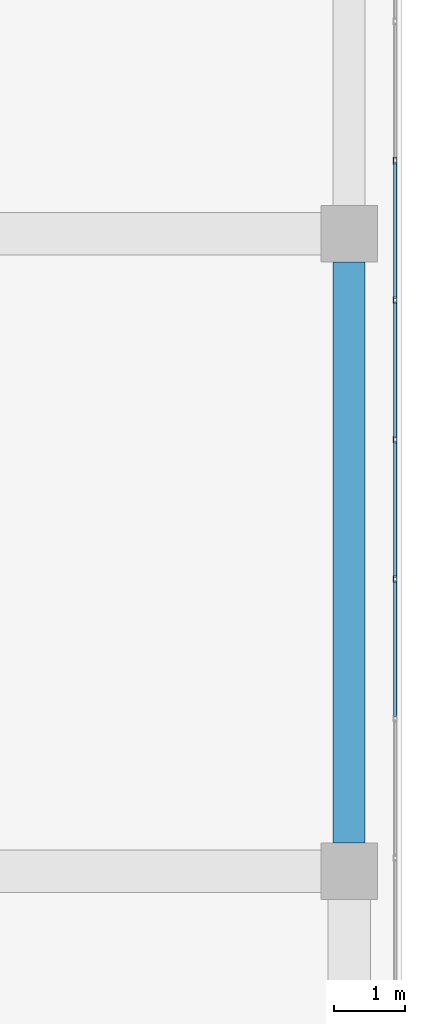
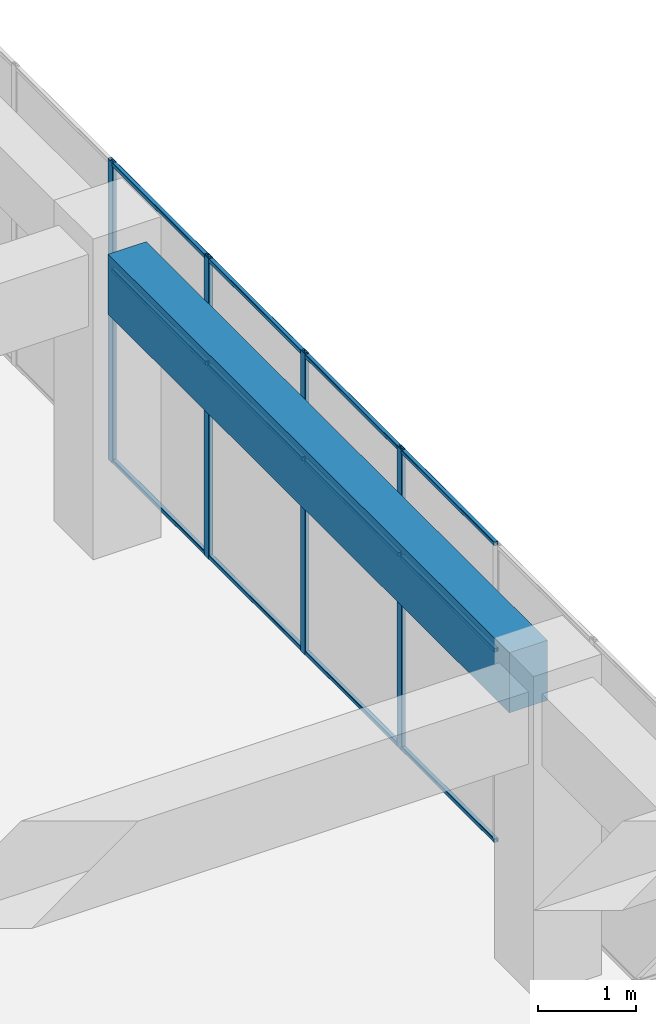
# One storey, part 54 of 81: 16 members, 1 beam, 1 element without a shape of its own.
"""IFC4 building model written with IfcOpenShell, lengths in metres."""

from ifc_helpers import new_model, si_unit, direction, frame, origin, origin_2d, place, context, subcontext, project, spatial, rectangle, hollow_rectangle, extrude, material, layer, layer_set, material_profile, profile_set, type_object, element, aggregate, save


model = new_model("IFC4")

# Units and contexts
model_context = context("Model", 3, precision=1e-05, world=origin(), true_north=direction((0.0, 1.0)))
body_context = subcontext(model_context, "Body", "Model", "MODEL_VIEW")
ifc_project = project(units=[si_unit("LENGTHUNIT", "METRE"), si_unit("AREAUNIT", "SQUARE_METRE"), si_unit("VOLUMEUNIT", "CUBIC_METRE"), si_unit("PLANEANGLEUNIT", "RADIAN"), si_unit("MASSUNIT", "GRAM", prefix="KILO")], contexts=[model_context])

# Site, building, storey
site_placement = place(None, origin())
site = spatial("IfcSite", under=ifc_project, at=site_placement, CompositionType="ELEMENT")
building_placement = place(site_placement, origin())
building = spatial("IfcBuilding", under=site, at=building_placement, Name="Tuart Plaza Theatre", CompositionType="ELEMENT")
storey_placement = place(building_placement, frame((0.0, 0.0, 17.5)))
storey = spatial("IfcBuildingStorey", under=building, at=storey_placement, Name="L04", CompositionType="ELEMENT", Elevation=17.5)

# Beam
ifc_material_1 = material(Name="Concrete N40 (40 MPa)", Category="concrete")
ifc_material_profile_1 = material_profile(ifc_material_1, rectangle(XDim=0.449951171875, YDim=0.75, at=origin_2d()), Name="BEAM 450x750 Concrete N40 (40 MPa)")
ifc_profile_set_1 = profile_set([ifc_material_profile_1], Name="Concrete N40 (40 MPa)")
beam_type = type_object("IfcBeamType", Name="BEAM 450x750 Concrete N40 (40 MPa)", PredefinedType="BEAM", material=ifc_profile_set_1)
beam_placement = place(storey_placement, frame((150.0, 56.39990234375, 3.375), z_axis=(0.0, 1.0, 0.0), x_axis=(-1.0, 0.0, 0.0)))
element("IfcBeam", 1, at=beam_placement, inside=storey, type_object=beam_type, Name="RB238", PredefinedType="BEAM", context=body_context, shape_type="SweptSolid", body=[
    extrude(rectangle(XDim=0.449951171875, YDim=0.75, at=origin_2d()), origin(), (0.0, 0.0, 1.0), 8.2001953125),
])

# Curtain wall, members
ifc_material_2 = material(Name="Aluminium and glass", Category="aluminium")
ifc_layer = layer(ifc_material_2, 0.10009765625)
ifc_layer_set = layer_set([ifc_layer], Name="CURTAIN WALL 2000 module")
curtain_wall_type = type_object("IfcCurtainWallType", Name="CURTAIN WALL 2000 module", PredefinedType="NOTDEFINED", material=ifc_layer_set)
curtain_wall_placement = place(storey_placement, origin())
curtain_wall = element("IfcCurtainWall", 2, at=curtain_wall_placement, inside=storey, type_object=curtain_wall_type, Name="CW78", PredefinedType="NOTDEFINED")
ifc_material_3 = material(Name="Aluminium 6063-T5", Category="aluminium")
ifc_material_profile_2 = material_profile(ifc_material_3, hollow_rectangle(XDim=0.050048828125, YDim=0.10009765625, WallThickness=0.00390625, InnerFilletRadius=0.00390625, OuterFilletRadius=0.008056640625, at=origin_2d()), Name="RHS 100x50x4")
ifc_profile_set_2 = profile_set([ifc_material_profile_2], Name="Aluminium 6063-T5")
member_type_1 = type_object("IfcMemberType", Name="MULLION RHS 100x50x4", PredefinedType="MULLION", material=ifc_profile_set_2)
member_1_placement = place(storey_placement, frame((150.64990234375, 60.125, 0.0), z_axis=(0.0, 0.0, 1.0), x_axis=(-1.0, 0.0, 0.0)))
member_1 = element("IfcMember", 3, at=member_1_placement, type_object=member_type_1, Name="CW78 mullion 5", PredefinedType="MULLION", context=body_context, shape_type="SweptSolid", body=[
    extrude(hollow_rectangle(XDim=0.050048828125, YDim=0.10009765625, WallThickness=0.00390625, InnerFilletRadius=0.00390625, OuterFilletRadius=0.008056640625, at=origin_2d()), origin(), (0.0, 0.0, 1.0), 3.75),
])
member_2_placement = place(storey_placement, frame((150.64990234375, 62.09375, 0.0), z_axis=(0.0, 0.0, 1.0), x_axis=(-1.0, 0.0, 0.0)))
member_2 = element("IfcMember", 4, at=member_2_placement, type_object=member_type_1, Name="CW78 mullion 6", PredefinedType="MULLION", context=body_context, shape_type="SweptSolid", body=[
    extrude(hollow_rectangle(XDim=0.050048828125, YDim=0.10009765625, WallThickness=0.00390625, InnerFilletRadius=0.00390625, OuterFilletRadius=0.008056640625, at=origin_2d()), origin(), (0.0, 0.0, 1.0), 3.75),
])
member_3_placement = place(storey_placement, frame((150.64990234375, 64.0625, 0.0), z_axis=(0.0, 0.0, 1.0), x_axis=(-1.0, 0.0, 0.0)))
member_3 = element("IfcMember", 5, at=member_3_placement, type_object=member_type_1, Name="CW78 mullion 7", PredefinedType="MULLION", context=body_context, shape_type="SweptSolid", body=[
    extrude(hollow_rectangle(XDim=0.050048828125, YDim=0.10009765625, WallThickness=0.00390625, InnerFilletRadius=0.00390625, OuterFilletRadius=0.008056640625, at=origin_2d()), origin(), (0.0, 0.0, 1.0), 3.75),
])
member_4_placement = place(storey_placement, frame((150.64990234375, 66.03125, 0.0), z_axis=(0.0, 0.0, 1.0), x_axis=(-1.0, 0.0, 0.0)))
member_4 = element("IfcMember", 6, at=member_4_placement, type_object=member_type_1, Name="CW78 mullion 8", PredefinedType="MULLION", context=body_context, shape_type="SweptSolid", body=[
    extrude(hollow_rectangle(XDim=0.050048828125, YDim=0.10009765625, WallThickness=0.00390625, InnerFilletRadius=0.00390625, OuterFilletRadius=0.008056640625, at=origin_2d()), origin(), (0.0, 0.0, 1.0), 3.75),
])
ifc_material_4 = material(Name="Aluminium 6063-T5", Category="aluminium")
ifc_material_profile_3 = material_profile(ifc_material_4, hollow_rectangle(XDim=0.050048828125, YDim=0.050048828125, WallThickness=0.00390625, InnerFilletRadius=0.00390625, OuterFilletRadius=0.008056640625, at=origin_2d()), Name="RHS 50x50x4")
ifc_profile_set_3 = profile_set([ifc_material_profile_3], Name="Aluminium 6063-T5")
member_type_2 = type_object("IfcMemberType", Name="TRANSOM RHS 50x50x4", PredefinedType="USERDEFINED", material=ifc_profile_set_3)
member_5_placement = place(storey_placement, frame((150.64990234375, 58.18115234375, 0.02490234375), z_axis=(0.0, 1.0, 0.0), x_axis=(-1.0, 0.0, 0.0)))
member_5 = element("IfcMember", 7, at=member_5_placement, type_object=member_type_2, Name="CW78 transom 4.1", ObjectType="TRANSOM", PredefinedType="USERDEFINED", context=body_context, shape_type="SweptSolid", body=[
    extrude(hollow_rectangle(XDim=0.050048828125, YDim=0.050048828125, WallThickness=0.00390625, InnerFilletRadius=0.00390625, OuterFilletRadius=0.008056640625, at=origin_2d()), origin(), (0.0, 0.0, 1.0), 1.9189453125),
])
member_6_placement = place(storey_placement, frame((150.64990234375, 58.18115234375, 2.39990234375), z_axis=(0.0, 1.0, 0.0), x_axis=(-1.0, 0.0, 0.0)))
member_6 = element("IfcMember", 8, at=member_6_placement, type_object=member_type_2, Name="CW78 transom 4.2", ObjectType="TRANSOM", PredefinedType="USERDEFINED", context=body_context, shape_type="SweptSolid", body=[
    extrude(hollow_rectangle(XDim=0.050048828125, YDim=0.050048828125, WallThickness=0.00390625, InnerFilletRadius=0.00390625, OuterFilletRadius=0.008056640625, at=origin_2d()), origin(), (0.0, 0.0, 1.0), 1.9189453125),
])
member_7_placement = place(storey_placement, frame((150.64990234375, 58.18115234375, 3.72509765625), z_axis=(0.0, 1.0, 0.0), x_axis=(-1.0, 0.0, 0.0)))
member_7 = element("IfcMember", 9, at=member_7_placement, type_object=member_type_2, Name="CW78 transom 4.3", ObjectType="TRANSOM", PredefinedType="USERDEFINED", context=body_context, shape_type="SweptSolid", body=[
    extrude(hollow_rectangle(XDim=0.050048828125, YDim=0.050048828125, WallThickness=0.00390625, InnerFilletRadius=0.00390625, OuterFilletRadius=0.008056640625, at=origin_2d()), origin(), (0.0, 0.0, 1.0), 1.9189453125),
])
member_8_placement = place(storey_placement, frame((150.64990234375, 60.14990234375, 0.02490234375), z_axis=(0.0, 1.0, 0.0), x_axis=(-1.0, 0.0, 0.0)))
member_8 = element("IfcMember", 10, at=member_8_placement, type_object=member_type_2, Name="CW78 transom 5.1", ObjectType="TRANSOM", PredefinedType="USERDEFINED", context=body_context, shape_type="SweptSolid", body=[
    extrude(hollow_rectangle(XDim=0.050048828125, YDim=0.050048828125, WallThickness=0.00390625, InnerFilletRadius=0.00390625, OuterFilletRadius=0.008056640625, at=origin_2d()), origin(), (0.0, 0.0, 1.0), 1.9189453125),
])
member_9_placement = place(storey_placement, frame((150.64990234375, 60.14990234375, 2.39990234375), z_axis=(0.0, 1.0, 0.0), x_axis=(-1.0, 0.0, 0.0)))
member_9 = element("IfcMember", 11, at=member_9_placement, type_object=member_type_2, Name="CW78 transom 5.2", ObjectType="TRANSOM", PredefinedType="USERDEFINED", context=body_context, shape_type="SweptSolid", body=[
    extrude(hollow_rectangle(XDim=0.050048828125, YDim=0.050048828125, WallThickness=0.00390625, InnerFilletRadius=0.00390625, OuterFilletRadius=0.008056640625, at=origin_2d()), origin(), (0.0, 0.0, 1.0), 1.9189453125),
])
member_10_placement = place(storey_placement, frame((150.64990234375, 60.14990234375, 3.72509765625), z_axis=(0.0, 1.0, 0.0), x_axis=(-1.0, 0.0, 0.0)))
member_10 = element("IfcMember", 12, at=member_10_placement, type_object=member_type_2, Name="CW78 transom 5.3", ObjectType="TRANSOM", PredefinedType="USERDEFINED", context=body_context, shape_type="SweptSolid", body=[
    extrude(hollow_rectangle(XDim=0.050048828125, YDim=0.050048828125, WallThickness=0.00390625, InnerFilletRadius=0.00390625, OuterFilletRadius=0.008056640625, at=origin_2d()), origin(), (0.0, 0.0, 1.0), 1.9189453125),
])
member_11_placement = place(storey_placement, frame((150.64990234375, 62.11865234375, 0.02490234375), z_axis=(0.0, 1.0, 0.0), x_axis=(-1.0, 0.0, 0.0)))
member_11 = element("IfcMember", 13, at=member_11_placement, type_object=member_type_2, Name="CW78 transom 6.1", ObjectType="TRANSOM", PredefinedType="USERDEFINED", context=body_context, shape_type="SweptSolid", body=[
    extrude(hollow_rectangle(XDim=0.050048828125, YDim=0.050048828125, WallThickness=0.00390625, InnerFilletRadius=0.00390625, OuterFilletRadius=0.008056640625, at=origin_2d()), origin(), (0.0, 0.0, 1.0), 1.9189453125),
])
member_12_placement = place(storey_placement, frame((150.64990234375, 62.11865234375, 2.39990234375), z_axis=(0.0, 1.0, 0.0), x_axis=(-1.0, 0.0, 0.0)))
member_12 = element("IfcMember", 14, at=member_12_placement, type_object=member_type_2, Name="CW78 transom 6.2", ObjectType="TRANSOM", PredefinedType="USERDEFINED", context=body_context, shape_type="SweptSolid", body=[
    extrude(hollow_rectangle(XDim=0.050048828125, YDim=0.050048828125, WallThickness=0.00390625, InnerFilletRadius=0.00390625, OuterFilletRadius=0.008056640625, at=origin_2d()), origin(), (0.0, 0.0, 1.0), 1.9189453125),
])
member_13_placement = place(storey_placement, frame((150.64990234375, 62.11865234375, 3.72509765625), z_axis=(0.0, 1.0, 0.0), x_axis=(-1.0, 0.0, 0.0)))
member_13 = element("IfcMember", 15, at=member_13_placement, type_object=member_type_2, Name="CW78 transom 6.3", ObjectType="TRANSOM", PredefinedType="USERDEFINED", context=body_context, shape_type="SweptSolid", body=[
    extrude(hollow_rectangle(XDim=0.050048828125, YDim=0.050048828125, WallThickness=0.00390625, InnerFilletRadius=0.00390625, OuterFilletRadius=0.008056640625, at=origin_2d()), origin(), (0.0, 0.0, 1.0), 1.9189453125),
])
member_14_placement = place(storey_placement, frame((150.64990234375, 64.08740234375, 0.02490234375), z_axis=(0.0, 1.0, 0.0), x_axis=(-1.0, 0.0, 0.0)))
member_14 = element("IfcMember", 16, at=member_14_placement, type_object=member_type_2, Name="CW78 transom 7.1", ObjectType="TRANSOM", PredefinedType="USERDEFINED", context=body_context, shape_type="SweptSolid", body=[
    extrude(hollow_rectangle(XDim=0.050048828125, YDim=0.050048828125, WallThickness=0.00390625, InnerFilletRadius=0.00390625, OuterFilletRadius=0.008056640625, at=origin_2d()), origin(), (0.0, 0.0, 1.0), 1.9189453125),
])
member_15_placement = place(storey_placement, frame((150.64990234375, 64.08740234375, 2.39990234375), z_axis=(0.0, 1.0, 0.0), x_axis=(-1.0, 0.0, 0.0)))
member_15 = element("IfcMember", 17, at=member_15_placement, type_object=member_type_2, Name="CW78 transom 7.2", ObjectType="TRANSOM", PredefinedType="USERDEFINED", context=body_context, shape_type="SweptSolid", body=[
    extrude(hollow_rectangle(XDim=0.050048828125, YDim=0.050048828125, WallThickness=0.00390625, InnerFilletRadius=0.00390625, OuterFilletRadius=0.008056640625, at=origin_2d()), origin(), (0.0, 0.0, 1.0), 1.9189453125),
])
member_16_placement = place(storey_placement, frame((150.64990234375, 64.08740234375, 3.72509765625), z_axis=(0.0, 1.0, 0.0), x_axis=(-1.0, 0.0, 0.0)))
member_16 = element("IfcMember", 18, at=member_16_placement, type_object=member_type_2, Name="CW78 transom 7.3", ObjectType="TRANSOM", PredefinedType="USERDEFINED", context=body_context, shape_type="SweptSolid", body=[
    extrude(hollow_rectangle(XDim=0.050048828125, YDim=0.050048828125, WallThickness=0.00390625, InnerFilletRadius=0.00390625, OuterFilletRadius=0.008056640625, at=origin_2d()), origin(), (0.0, 0.0, 1.0), 1.9189453125),
])
aggregate(curtain_wall, [member_1, member_2, member_3, member_4, member_5, member_6, member_7, member_8, member_9, member_10, member_11, member_12, member_13, member_14, member_15, member_16])

save(model, "model.ifc")
